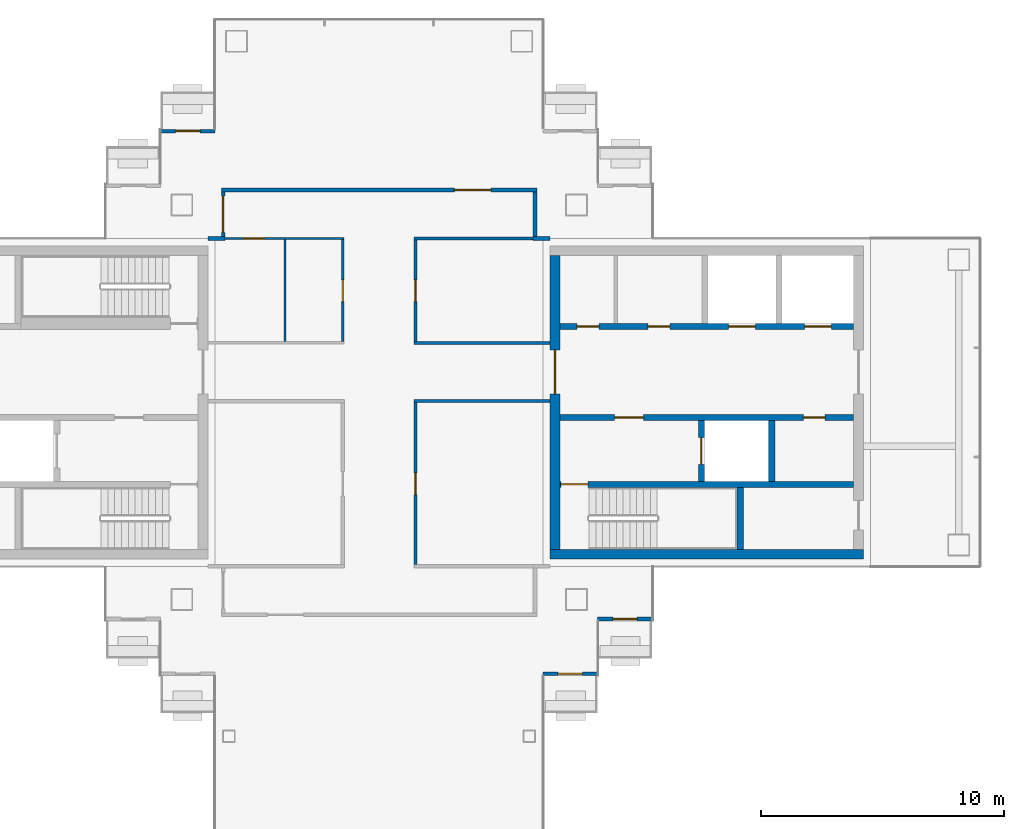
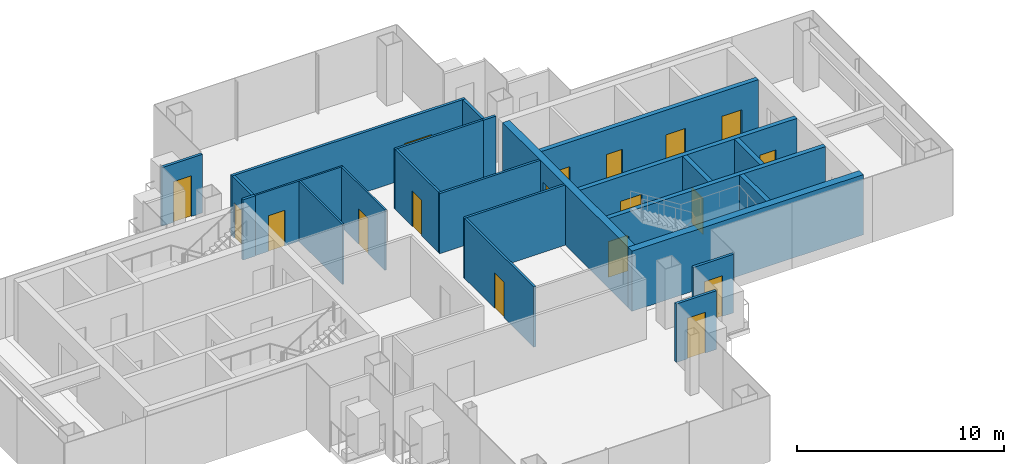
# One storey, part 10 of 17: 24 walls, 18 doors, 18 openings.
"""IFC4 building model written with IfcOpenShell, lengths in metres."""

from ifc_helpers import new_model, si_unit, direction, frame, frame_2d, origin, place, context, subcontext, project, spatial, rectangle, extrude, material, layer, layer_set, type_object, element, fill, save


model = new_model("IFC4")

# Units and contexts
model_context = context("Model", 3, precision=1e-05, world=origin(), true_north=direction((0.0, 1.0)))
body_context = subcontext(model_context, "Body", "Model", "MODEL_VIEW")
ifc_project = project(units=[si_unit("LENGTHUNIT", "METRE"), si_unit("AREAUNIT", "SQUARE_METRE"), si_unit("VOLUMEUNIT", "CUBIC_METRE"), si_unit("PLANEANGLEUNIT", "RADIAN"), si_unit("MASSUNIT", "GRAM", prefix="KILO")], contexts=[model_context])

# Site, building, storey
site_placement = place(None, origin())
site = spatial("IfcSite", under=ifc_project, at=site_placement, CompositionType="ELEMENT")
building_placement = place(site_placement, origin())
building = spatial("IfcBuilding", under=site, at=building_placement, Name="Shamsa Quay Exchange Towers", CompositionType="ELEMENT")
storey_placement = place(building_placement, frame((0.0, 0.0, 253.800048828125)))
storey = spatial("IfcBuildingStorey", under=building, at=storey_placement, Name="L61", CompositionType="ELEMENT", Elevation=253.800048828125)

# Wall, opening, door
ifc_material_1 = material(Name="Aluminium EN AW-6063 T6, black anodised, with black enamelled glass infill", Category="aluminium")
ifc_layer_1 = layer(ifc_material_1, 0.14990234375)
ifc_layer_set_1 = layer_set([ifc_layer_1], Name="BALCONY DOOR BAY WALL 150")
wall_type_1 = type_object("IfcWallType", Name="BALCONY DOOR BAY WALL 150", PredefinedType="SOLIDWALL", material=ifc_layer_set_1)
wall_1_placement = place(storey_placement, frame((-22.5, -8.925048828125, 0.0), z_axis=(0.0, 0.0, 1.0), x_axis=(-1.0, 0.0, 0.0)))
wall_1 = element("IfcWall", 1, at=wall_1_placement, inside=storey, type_object=wall_type_1, Name="Door bay T1-PKES L61", PredefinedType="SOLIDWALL", context=body_context, shape_type="SweptSolid", body=[
    extrude(rectangle(XDim=2.25, YDim=0.14990234375, at=frame_2d((1.125, 0.0))), origin(), (0.0, 0.0, 1.0), 3.449951171875),
])
opening_1_placement = place(wall_1_placement, frame((0.625, 0.0, 0.0)))
opening_1 = element("IfcOpeningElement", 2, at=opening_1_placement, cuts=wall_1, Name="Opening XD411", PredefinedType="OPENING", context=body_context, shape_type="SweptSolid", body=[
    extrude(rectangle(XDim=1.0, YDim=2.39990234375, at=frame_2d((0.5, 1.199951171875))), frame((0.0, 0.0849609375, 0.0), z_axis=(0.0, -1.0, 0.0), x_axis=(1.0, 0.0, 0.0)), (0.0, 0.0, 1.0), 0.169921875),
])
ifc_material_2 = material(Name="Aluminium EN AW-6063 T6, black anodised, with laminated glass leaf", Category="aluminium")
door_type_1 = type_object("IfcDoorType", Name="BALCONY DOOR 1000x2400", OperationType="SINGLE_SWING_LEFT", PredefinedType="DOOR", material=ifc_material_2)
door_1_placement = place(opening_1_placement, origin())
door_1 = element("IfcDoor", 3, at=door_1_placement, inside=storey, type_object=door_type_1, Name="Balcony door T1-PKES L61", OperationType="SINGLE_SWING_RIGHT", OverallHeight=2.39990234375, OverallWidth=1.0, PredefinedType="DOOR", context=body_context, shape_type="SweptSolid", body=[
    extrude(rectangle(XDim=1.0, YDim=2.39990234375, at=frame_2d((0.5, 1.199951171875))), frame((0.0, 0.02490234375, 0.0), z_axis=(0.0, -1.0, 0.0), x_axis=(1.0, 0.0, 0.0)), (0.0, 0.0, 1.0), 0.050048828125),
])
fill(opening_1, door_1)

wall_2_placement = place(storey_placement, frame((-24.75, -11.175048828125, 0.0), z_axis=(0.0, 0.0, 1.0), x_axis=(-1.0, 0.0, 0.0)))
wall_2 = element("IfcWall", 4, at=wall_2_placement, inside=storey, type_object=wall_type_1, Name="Door bay T1-PKES L61", PredefinedType="SOLIDWALL", context=body_context, shape_type="SweptSolid", body=[
    extrude(rectangle(XDim=2.25, YDim=0.14990234375, at=frame_2d((1.125, 0.0))), origin(), (0.0, 0.0, 1.0), 3.449951171875),
])
opening_2_placement = place(wall_2_placement, frame((0.625, 0.0, 0.0)))
opening_2 = element("IfcOpeningElement", 5, at=opening_2_placement, cuts=wall_2, Name="Opening XD412", PredefinedType="OPENING", context=body_context, shape_type="SweptSolid", body=[
    extrude(rectangle(XDim=1.0, YDim=2.39990234375, at=frame_2d((0.5, 1.199951171875))), frame((0.0, 0.0849609375, 0.0), z_axis=(0.0, -1.0, 0.0), x_axis=(1.0, 0.0, 0.0)), (0.0, 0.0, 1.0), 0.169921875),
])
door_2_placement = place(opening_2_placement, origin())
door_2 = element("IfcDoor", 6, at=door_2_placement, inside=storey, type_object=door_type_1, Name="Balcony door T1-PKES L61", OperationType="SINGLE_SWING_LEFT", OverallHeight=2.39990234375, OverallWidth=1.0, PredefinedType="DOOR", context=body_context, shape_type="SweptSolid", body=[
    extrude(rectangle(XDim=1.0, YDim=2.39990234375, at=frame_2d((0.5, 1.199951171875))), frame((0.0, 0.02490234375, 0.0), z_axis=(0.0, -1.0, 0.0), x_axis=(1.0, 0.0, 0.0)), (0.0, 0.0, 1.0), 0.050048828125),
])
fill(opening_2, door_2)

wall_3_placement = place(storey_placement, frame((-42.75, 11.175048828125, 0.0)))
wall_3 = element("IfcWall", 7, at=wall_3_placement, inside=storey, type_object=wall_type_1, Name="Door bay T1-PKWN L61", PredefinedType="SOLIDWALL", context=body_context, shape_type="SweptSolid", body=[
    extrude(rectangle(XDim=2.25, YDim=0.14990234375, at=frame_2d((1.125, 0.0))), origin(), (0.0, 0.0, 1.0), 3.449951171875),
])
opening_3_placement = place(wall_3_placement, frame((0.625, 0.0, 0.0)))
opening_3 = element("IfcOpeningElement", 8, at=opening_3_placement, cuts=wall_3, Name="Opening XD413", PredefinedType="OPENING", context=body_context, shape_type="SweptSolid", body=[
    extrude(rectangle(XDim=1.0, YDim=2.39990234375, at=frame_2d((0.5, 1.199951171875))), frame((0.0, 0.0849609375, 0.0), z_axis=(0.0, -1.0, 0.0), x_axis=(1.0, 0.0, 0.0)), (0.0, 0.0, 1.0), 0.169921875),
])
door_3_placement = place(opening_3_placement, origin())
door_3 = element("IfcDoor", 9, at=door_3_placement, inside=storey, type_object=door_type_1, Name="Balcony door T1-PKWN L61", OperationType="SINGLE_SWING_LEFT", OverallHeight=2.39990234375, OverallWidth=1.0, PredefinedType="DOOR", context=body_context, shape_type="SweptSolid", body=[
    extrude(rectangle(XDim=1.0, YDim=2.39990234375, at=frame_2d((0.5, 1.199951171875))), frame((0.0, 0.02490234375, 0.0), z_axis=(0.0, -1.0, 0.0), x_axis=(1.0, 0.0, 0.0)), (0.0, 0.0, 1.0), 0.050048828125),
])
fill(opening_3, door_3)

# Wall
ifc_material_3 = material(Name="Concrete C60/75", Category="concrete")
ifc_layer_2 = layer(ifc_material_3, 0.39990234375)
ifc_layer_set_2 = layer_set([ifc_layer_2], Name="CORE WALL 400 C60/75")
wall_type_2 = type_object("IfcWallType", Name="CORE WALL 400 C60/75", PredefinedType="SHEAR", material=ifc_layer_set_2)
wall_4_placement = place(storey_placement, frame((-26.699951171875, -6.25, 0.0)))
element("IfcWall", 10, at=wall_4_placement, inside=storey, type_object=wall_type_2, Name="Core wall T1A-R27-PS", PredefinedType="SHEAR", context=body_context, shape_type="SweptSolid", body=[
    extrude(rectangle(XDim=12.89990234375, YDim=0.39990234375, at=frame_2d((6.449951171875, 0.0))), origin(), (0.0, 0.0, 1.0), 3.550048828125),
])

# Wall, opening, door
wall_5_placement = place(storey_placement, frame((-26.5, 6.050048828125, 0.0), z_axis=(0.0, 0.0, 1.0), x_axis=(0.0, -1.0, 0.0)))
wall_5 = element("IfcWall", 11, at=wall_5_placement, inside=storey, type_object=wall_type_2, Name="Core wall T1A-R27-PF", PredefinedType="SHEAR", context=body_context, shape_type="SweptSolid", body=[
    extrude(rectangle(XDim=12.10009765625, YDim=0.39990234375, at=frame_2d((6.050048828125, 0.0))), origin(), (0.0, 0.0, 1.0), 3.550048828125),
])
opening_4_placement = place(wall_5_placement, frame((3.89990234375, 0.0, 0.0)))
opening_4 = element("IfcOpeningElement", 12, at=opening_4_placement, cuts=wall_5, Name="Opening T1A-R27-LBD01", PredefinedType="OPENING", context=body_context, shape_type="SweptSolid", body=[
    extrude(rectangle(XDim=1.800048828125, YDim=2.39990234375, at=frame_2d((0.89990234375, 1.199951171875))), frame((0.0, 0.2099609375, 0.0), z_axis=(0.0, -1.0, 0.0), x_axis=(1.0, 0.0, 0.0)), (0.0, 0.0, 1.0), 0.419921875),
])
ifc_material_4 = material(Name="Steel, fire rated", Category="steel")
door_type_2 = type_object("IfcDoorType", Name="LIFT LOBBY DOOR PAIR 1800", OperationType="DOUBLE_DOOR_SINGLE_SWING", PredefinedType="DOOR", material=ifc_material_4)
door_4_placement = place(opening_4_placement, origin())
door_4 = element("IfcDoor", 13, at=door_4_placement, inside=storey, type_object=door_type_2, Name="T1A-R27-LBD01", OperationType="DOUBLE_DOOR_SINGLE_SWING", OverallHeight=2.39990234375, OverallWidth=1.800048828125, PredefinedType="DOOR", context=body_context, shape_type="SweptSolid", body=[
    extrude(rectangle(XDim=1.800048828125, YDim=2.39990234375, at=frame_2d((0.89990234375, 1.199951171875))), frame((0.0, 0.02490234375, 0.0), z_axis=(0.0, -1.0, 0.0), x_axis=(1.0, 0.0, 0.0)), (0.0, 0.0, 1.0), 0.050048828125),
])
fill(opening_4, door_4)

# Wall
ifc_material_5 = material(Name="Laminated fire-resisting glass in a metal frame", Category="glass")
ifc_layer_3 = layer(ifc_material_5, 0.125)
ifc_layer_set_3 = layer_set([ifc_layer_3], Name="Glazed partition 125 mm EI 60")
wall_type_3 = type_object("IfcWallType", Name="Glazed partition 125 mm EI 60", PredefinedType="PARTITIONING", material=ifc_layer_set_3)
wall_6_placement = place(storey_placement, frame((-27.250244140625, 6.75, 0.0), z_axis=(0.0, 0.0, 1.0), x_axis=(-1.0, 0.0, 0.0)))
element("IfcWall", 14, at=wall_6_placement, inside=storey, type_object=wall_type_3, Name="Partition T1-R27-W01", PredefinedType="PARTITIONING", context=body_context, shape_type="SweptSolid", body=[
    extrude(rectangle(XDim=5.062255859375, YDim=0.125, at=frame_2d((2.53125, 0.0))), origin(), (0.0, 0.0, 1.0), 3.550048828125),
])

# Wall, opening, door
wall_7_placement = place(storey_placement, frame((-32.25, 6.6875, 0.0), z_axis=(0.0, 0.0, 1.0), x_axis=(0.0, -1.0, 0.0)))
wall_7 = element("IfcWall", 15, at=wall_7_placement, inside=storey, type_object=wall_type_3, Name="Partition T1-R27-W02", PredefinedType="PARTITIONING", context=body_context, shape_type="SweptSolid", body=[
    extrude(rectangle(XDim=4.1748046875, YDim=0.125, at=frame_2d((2.08740234375, 0.0))), origin(), (0.0, 0.0, 1.0), 3.550048828125),
])
opening_5_placement = place(wall_7_placement, frame((1.637451171875, 0.0, 0.0)))
opening_5 = element("IfcOpeningElement", 16, at=opening_5_placement, cuts=wall_7, Name="Opening T1-R27-D08", PredefinedType="OPENING", context=body_context, shape_type="SweptSolid", body=[
    extrude(rectangle(XDim=0.89990234375, YDim=2.10009765625, at=frame_2d((0.449951171875, 1.050048828125))), frame((0.0, 0.072509765625, 0.0), z_axis=(0.0, -1.0, 0.0), x_axis=(1.0, 0.0, 0.0)), (0.0, 0.0, 1.0), 0.14501953125),
])
ifc_material_6 = material(Name="Timber door leaf in a metal frame", Category="wood")
door_type_3 = type_object("IfcDoorType", Name="Door 900x2100 FD30S", OperationType="NOTDEFINED", PredefinedType="DOOR", material=ifc_material_6)
door_5_placement = place(opening_5_placement, origin())
door_5 = element("IfcDoor", 17, at=door_5_placement, inside=storey, type_object=door_type_3, Name="Door T1-R27-D08", OperationType="SINGLE_SWING_LEFT", OverallHeight=2.10009765625, OverallWidth=0.89990234375, PredefinedType="DOOR", context=body_context, shape_type="SweptSolid", body=[
    extrude(rectangle(XDim=0.89990234375, YDim=2.10009765625, at=frame_2d((0.449951171875, 1.050048828125))), frame((0.0, 0.02490234375, 0.0), z_axis=(0.0, -1.0, 0.0), x_axis=(1.0, 0.0, 0.0)), (0.0, 0.0, 1.0), 0.050048828125),
])
fill(opening_5, door_5)

wall_8_placement = place(storey_placement, frame((-32.25, -0.0126953125, 0.0), z_axis=(0.0, 0.0, 1.0), x_axis=(0.0, -1.0, 0.0)))
wall_8 = element("IfcWall", 18, at=wall_8_placement, inside=storey, type_object=wall_type_3, Name="Partition T1-R27-W03", PredefinedType="PARTITIONING", context=body_context, shape_type="SweptSolid", body=[
    extrude(rectangle(XDim=6.6748046875, YDim=0.125, at=frame_2d((3.33740234375, 0.0))), origin(), (0.0, 0.0, 1.0), 3.550048828125),
])
opening_6_placement = place(wall_8_placement, frame((2.887451171875, 0.0, 0.0)))
opening_6 = element("IfcOpeningElement", 19, at=opening_6_placement, cuts=wall_8, Name="Opening T1-R27-D07", PredefinedType="OPENING", context=body_context, shape_type="SweptSolid", body=[
    extrude(rectangle(XDim=0.89990234375, YDim=2.10009765625, at=frame_2d((0.449951171875, 1.050048828125))), frame((0.0, 0.072509765625, 0.0), z_axis=(0.0, -1.0, 0.0), x_axis=(1.0, 0.0, 0.0)), (0.0, 0.0, 1.0), 0.14501953125),
])
door_6_placement = place(opening_6_placement, origin())
door_6 = element("IfcDoor", 20, at=door_6_placement, inside=storey, type_object=door_type_3, Name="Door T1-R27-D07", OperationType="SINGLE_SWING_LEFT", OverallHeight=2.10009765625, OverallWidth=0.89990234375, PredefinedType="DOOR", context=body_context, shape_type="SweptSolid", body=[
    extrude(rectangle(XDim=0.89990234375, YDim=2.10009765625, at=frame_2d((0.449951171875, 1.050048828125))), frame((0.0, 0.02490234375, 0.0), z_axis=(0.0, -1.0, 0.0), x_axis=(1.0, 0.0, 0.0)), (0.0, 0.0, 1.0), 0.050048828125),
])
fill(opening_6, door_6)

# Walls
wall_9_placement = place(storey_placement, frame((-32.3125, 2.4501953125, 0.0)))
element("IfcWall", 21, at=wall_9_placement, inside=storey, type_object=wall_type_3, Name="Partition T1-R27-W04", PredefinedType="PARTITIONING", context=body_context, shape_type="SweptSolid", body=[
    extrude(rectangle(XDim=5.612548828125, YDim=0.125, at=frame_2d((2.80615234375, 0.0))), origin(), (0.0, 0.0, 1.0), 3.550048828125),
])
wall_10_placement = place(storey_placement, frame((-26.699951171875, 0.0498046875, 0.0), z_axis=(0.0, 0.0, 1.0), x_axis=(-1.0, 0.0, 0.0)))
element("IfcWall", 22, at=wall_10_placement, inside=storey, type_object=wall_type_3, Name="Partition T1-R27-W05", PredefinedType="PARTITIONING", context=body_context, shape_type="SweptSolid", body=[
    extrude(rectangle(XDim=5.612548828125, YDim=0.125, at=frame_2d((2.80615234375, 0.0))), origin(), (0.0, 0.0, 1.0), 3.550048828125),
])

# Wall, opening, door
ifc_material_7 = material(Name="Gypsum board partition on metal studs")
ifc_layer_4 = layer(ifc_material_7, 0.10009765625)
ifc_layer_set_4 = layer_set([ifc_layer_4], Name="Partition 100 mm NOT RATED")
wall_type_4 = type_object("IfcWallType", Name="Partition 100 mm NOT RATED", PredefinedType="PARTITIONING", material=ifc_layer_set_4)
wall_11_placement = place(storey_placement, frame((-35.199951171875, 6.75, 0.0), z_axis=(0.0, 0.0, 1.0), x_axis=(-1.0, 0.0, 0.0)))
wall_11 = element("IfcWall", 23, at=wall_11_placement, inside=storey, type_object=wall_type_4, Name="Partition T1-R27-W08", PredefinedType="PARTITIONING", context=body_context, shape_type="SweptSolid", body=[
    extrude(rectangle(XDim=5.0498046875, YDim=0.10009765625, at=frame_2d((2.52490234375, 0.0))), origin(), (0.0, 0.0, 1.0), 3.550048828125),
])
opening_7_placement = place(wall_11_placement, frame((3.25, 0.0, 0.0)))
opening_7 = element("IfcOpeningElement", 24, at=opening_7_placement, cuts=wall_11, Name="Opening T1-R27-D06", PredefinedType="OPENING", context=body_context, shape_type="SweptSolid", body=[
    extrude(rectangle(XDim=0.89990234375, YDim=2.10009765625, at=frame_2d((0.449951171875, 1.050048828125))), frame((0.0, 0.06005859375, 0.0), z_axis=(0.0, -1.0, 0.0), x_axis=(1.0, 0.0, 0.0)), (0.0, 0.0, 1.0), 0.1201171875),
])
door_type_4 = type_object("IfcDoorType", Name="Door 900x2100 NOT RATED", OperationType="NOTDEFINED", PredefinedType="DOOR", material=ifc_material_6)
door_7_placement = place(opening_7_placement, origin())
door_7 = element("IfcDoor", 25, at=door_7_placement, inside=storey, type_object=door_type_4, Name="Door T1-R27-D06", OperationType="SINGLE_SWING_LEFT", OverallHeight=2.10009765625, OverallWidth=0.89990234375, PredefinedType="DOOR", context=body_context, shape_type="SweptSolid", body=[
    extrude(rectangle(XDim=0.89990234375, YDim=2.10009765625, at=frame_2d((0.449951171875, 1.050048828125))), frame((0.0, 0.02490234375, 0.0), z_axis=(0.0, -1.0, 0.0), x_axis=(1.0, 0.0, 0.0)), (0.0, 0.0, 1.0), 0.050048828125),
])
fill(opening_7, door_7)

wall_12_placement = place(storey_placement, frame((-35.25, 2.500244140625, 0.0), z_axis=(0.0, 0.0, 1.0), x_axis=(0.0, 1.0, 0.0)))
wall_12 = element("IfcWall", 26, at=wall_12_placement, inside=storey, type_object=wall_type_4, Name="Partition T1-R27-W09", PredefinedType="PARTITIONING", context=body_context, shape_type="SweptSolid", body=[
    extrude(rectangle(XDim=4.19970703125, YDim=0.10009765625, at=frame_2d((2.099853515625, 0.0))), origin(), (0.0, 0.0, 1.0), 3.550048828125),
])
opening_8_placement = place(wall_12_placement, frame((1.64990234375, 0.0, 0.0)))
opening_8 = element("IfcOpeningElement", 27, at=opening_8_placement, cuts=wall_12, Name="Opening T1-R27-D05", PredefinedType="OPENING", context=body_context, shape_type="SweptSolid", body=[
    extrude(rectangle(XDim=0.89990234375, YDim=2.10009765625, at=frame_2d((0.449951171875, 1.050048828125))), frame((0.0, 0.06005859375, 0.0), z_axis=(0.0, -1.0, 0.0), x_axis=(1.0, 0.0, 0.0)), (0.0, 0.0, 1.0), 0.1201171875),
])
door_8_placement = place(opening_8_placement, origin())
door_8 = element("IfcDoor", 28, at=door_8_placement, inside=storey, type_object=door_type_4, Name="Door T1-R27-D05", OperationType="SINGLE_SWING_RIGHT", OverallHeight=2.10009765625, OverallWidth=0.89990234375, PredefinedType="DOOR", context=body_context, shape_type="SweptSolid", body=[
    extrude(rectangle(XDim=0.89990234375, YDim=2.10009765625, at=frame_2d((0.449951171875, 1.050048828125))), frame((0.0, 0.02490234375, 0.0), z_axis=(0.0, -1.0, 0.0), x_axis=(1.0, 0.0, 0.0)), (0.0, 0.0, 1.0), 0.050048828125),
])
fill(opening_8, door_8)

# Wall
wall_13_placement = place(storey_placement, frame((-37.625, 2.500244140625, 0.0), z_axis=(0.0, 0.0, 1.0), x_axis=(0.0, 1.0, 0.0)))
element("IfcWall", 29, at=wall_13_placement, inside=storey, type_object=wall_type_4, Name="Partition T1-R27-W22", PredefinedType="PARTITIONING", context=body_context, shape_type="SweptSolid", body=[
    extrude(rectangle(XDim=4.19970703125, YDim=0.10009765625, at=frame_2d((2.099853515625, 0.0))), origin(), (0.0, 0.0, 1.0), 3.550048828125),
])

# Wall, opening, door
ifc_layer_5 = layer(ifc_material_7, 0.14990234375)
ifc_layer_set_5 = layer_set([ifc_layer_5], Name="Partition 150 mm EI 60")
wall_type_5 = type_object("IfcWallType", Name="Partition 150 mm EI 60", PredefinedType="PARTITIONING", material=ifc_layer_set_5)
wall_14_placement = place(storey_placement, frame((-40.1748046875, 8.675048828125, 0.0), z_axis=(0.0, 0.0, 1.0), x_axis=(0.0, -1.0, 0.0)))
wall_14 = element("IfcWall", 30, at=wall_14_placement, inside=storey, type_object=wall_type_5, Name="Partition T1-R27-W14", PredefinedType="PARTITIONING", context=body_context, shape_type="SweptSolid", body=[
    extrude(rectangle(XDim=1.85009765625, YDim=0.14990234375, at=frame_2d((0.925048828125, 0.0))), origin(), (0.0, 0.0, 1.0), 3.550048828125),
])
opening_9_placement = place(wall_14_placement, frame((0.175048828125, 0.0, 0.0)))
opening_9 = element("IfcOpeningElement", 31, at=opening_9_placement, cuts=wall_14, Name="Opening T1-R27-D03", PredefinedType="OPENING", context=body_context, shape_type="SweptSolid", body=[
    extrude(rectangle(XDim=1.5, YDim=2.10009765625, at=frame_2d((0.75, 1.050048828125))), frame((0.0, 0.0849609375, 0.0), z_axis=(0.0, -1.0, 0.0), x_axis=(1.0, 0.0, 0.0)), (0.0, 0.0, 1.0), 0.169921875),
])
door_type_5 = type_object("IfcDoorType", Name="Door 1500x2100 FD30S pair", OperationType="NOTDEFINED", PredefinedType="DOOR", material=ifc_material_6)
door_9_placement = place(opening_9_placement, origin())
door_9 = element("IfcDoor", 32, at=door_9_placement, inside=storey, type_object=door_type_5, Name="Door T1-R27-D03", OperationType="DOUBLE_DOOR_SINGLE_SWING", OverallHeight=2.10009765625, OverallWidth=1.5, PredefinedType="DOOR", context=body_context, shape_type="SweptSolid", body=[
    extrude(rectangle(XDim=1.5, YDim=2.10009765625, at=frame_2d((0.75, 1.050048828125))), frame((0.0, 0.02490234375, 0.0), z_axis=(0.0, -1.0, 0.0), x_axis=(1.0, 0.0, 0.0)), (0.0, 0.0, 1.0), 0.050048828125),
])
fill(opening_9, door_9)

wall_15_placement = place(storey_placement, frame((-27.250244140625, 8.75, 0.0), z_axis=(0.0, 0.0, 1.0), x_axis=(-1.0, 0.0, 0.0)))
wall_15 = element("IfcWall", 33, at=wall_15_placement, inside=storey, type_object=wall_type_5, Name="Partition T1-R27-W16", PredefinedType="PARTITIONING", context=body_context, shape_type="SweptSolid", body=[
    extrude(rectangle(XDim=12.99951171875, YDim=0.14990234375, at=frame_2d((6.499755859375, 0.0))), origin(), (0.0, 0.0, 1.0), 3.550048828125),
])
opening_10_placement = place(wall_15_placement, frame((1.89501953125, 0.0, 0.0)))
opening_10 = element("IfcOpeningElement", 34, at=opening_10_placement, cuts=wall_15, Name="Opening T1-R27-D09", PredefinedType="OPENING", context=body_context, shape_type="SweptSolid", body=[
    extrude(rectangle(XDim=1.5, YDim=2.10009765625, at=frame_2d((0.75, 1.050048828125))), frame((0.0, 0.0849609375, 0.0), z_axis=(0.0, -1.0, 0.0), x_axis=(1.0, 0.0, 0.0)), (0.0, 0.0, 1.0), 0.169921875),
])
door_10_placement = place(opening_10_placement, origin())
door_10 = element("IfcDoor", 35, at=door_10_placement, inside=storey, type_object=door_type_5, Name="Door T1-R27-D09", OperationType="DOUBLE_DOOR_SINGLE_SWING", OverallHeight=2.10009765625, OverallWidth=1.5, PredefinedType="DOOR", context=body_context, shape_type="SweptSolid", body=[
    extrude(rectangle(XDim=1.5, YDim=2.10009765625, at=frame_2d((0.75, 1.050048828125))), frame((0.0, 0.02490234375, 0.0), z_axis=(0.0, -1.0, 0.0), x_axis=(1.0, 0.0, 0.0)), (0.0, 0.0, 1.0), 0.050048828125),
])
fill(opening_10, door_10)

# Walls
wall_16_placement = place(storey_placement, frame((-27.3251953125, 6.824951171875, 0.0), z_axis=(0.0, 0.0, 1.0), x_axis=(0.0, 1.0, 0.0)))
element("IfcWall", 36, at=wall_16_placement, inside=storey, type_object=wall_type_5, Name="Partition T1-R27-W18", PredefinedType="PARTITIONING", context=body_context, shape_type="SweptSolid", body=[
    extrude(rectangle(XDim=1.85009765625, YDim=0.14990234375, at=frame_2d((0.925048828125, 0.0))), origin(), (0.0, 0.0, 1.0), 3.550048828125),
])
for number, where, z_axis, x_axis, name in (
    (37, (-26.699951171875, 6.75, 0.0), (0.0, 0.0, 1.0), (-1.0, 0.0, 0.0), "Partition T1-R27-W20"),
    (38, (-40.099853515625, 6.75, 0.0), (0.0, 0.0, 1.0), (-1.0, 0.0, 0.0), "Partition T1-R27-W21"),
):
    element("IfcWall", number, at=place(storey_placement, frame(where, z_axis=z_axis, x_axis=x_axis)), inside=storey, type_object=wall_type_5, Name=name, PredefinedType="PARTITIONING", context=body_context, shape_type="SweptSolid", body=[
        extrude(rectangle(XDim=0.7001953125, YDim=0.14990234375, at=frame_2d((0.35009765625, 0.0))), origin(), (0.0, 0.0, 1.0), 3.550048828125),
    ])

# Wall, opening, door
ifc_material_8 = material(Name="Concrete C50/60", Category="concrete")
ifc_layer_6 = layer(ifc_material_8, 0.25)
ifc_layer_set_6 = layer_set([ifc_layer_6], Name="SHAFT WALL 250 C50/60")
wall_type_6 = type_object("IfcWallType", Name="SHAFT WALL 250 C50/60", PredefinedType="SHEAR", material=ifc_layer_set_6)
wall_17_placement = place(storey_placement, frame((-14.199951171875, -3.375, 0.0), z_axis=(0.0, 0.0, 1.0), x_axis=(-1.0, 0.0, 0.0)))
wall_17 = element("IfcWall", 39, at=wall_17_placement, inside=storey, type_object=wall_type_6, Name="Shaft wall T1A-R27-STL", PredefinedType="SHEAR", context=body_context, shape_type="SweptSolid", body=[
    extrude(rectangle(XDim=12.10009765625, YDim=0.25, at=frame_2d((6.050048828125, 0.0))), origin(), (0.0, 0.0, 1.0), 3.550048828125),
])
opening_11_placement = place(wall_17_placement, frame((10.949951171875, 0.0, 0.0)))
opening_11 = element("IfcOpeningElement", 40, at=opening_11_placement, cuts=wall_17, Name="Opening T1A-R27-SD04", PredefinedType="OPENING", context=body_context, shape_type="SweptSolid", body=[
    extrude(rectangle(XDim=1.10009765625, YDim=2.10009765625, at=frame_2d((0.550048828125, 1.050048828125))), frame((0.0, 0.135009765625, 0.0), z_axis=(0.0, -1.0, 0.0), x_axis=(1.0, 0.0, 0.0)), (0.0, 0.0, 1.0), 0.27001953125),
])
door_type_6 = type_object("IfcDoorType", Name="STAIR DOOR 1100", OperationType="SINGLE_SWING_LEFT", PredefinedType="DOOR", material=ifc_material_4)
door_11_placement = place(opening_11_placement, origin())
door_11 = element("IfcDoor", 41, at=door_11_placement, inside=storey, type_object=door_type_6, Name="T1A-R27-SD04", OperationType="SINGLE_SWING_RIGHT", OverallHeight=2.10009765625, OverallWidth=1.10009765625, PredefinedType="DOOR", context=body_context, shape_type="SweptSolid", body=[
    extrude(rectangle(XDim=1.10009765625, YDim=2.10009765625, at=frame_2d((0.550048828125, 1.050048828125))), frame((0.0, 0.02490234375, 0.0), z_axis=(0.0, -1.0, 0.0), x_axis=(1.0, 0.0, 0.0)), (0.0, 0.0, 1.0), 0.050048828125),
])
fill(opening_11, door_11)

# Wall
wall_18_placement = place(storey_placement, frame((-18.875, -6.050048828125, 0.0), z_axis=(0.0, 0.0, 1.0), x_axis=(0.0, 1.0, 0.0)))
element("IfcWall", 42, at=wall_18_placement, inside=storey, type_object=wall_type_6, Name="Shaft wall T1A-R27-STF", PredefinedType="SHEAR", context=body_context, shape_type="SweptSolid", body=[
    extrude(rectangle(XDim=2.550048828125, YDim=0.25, at=frame_2d((1.27490234375, 0.0))), origin(), (0.0, 0.0, 1.0), 3.550048828125),
])

# Wall, openings, doors
wall_19_placement = place(storey_placement, frame((-14.199951171875, -0.625, 0.0), z_axis=(0.0, 0.0, 1.0), x_axis=(-1.0, 0.0, 0.0)))
wall_19 = element("IfcWall", 43, at=wall_19_placement, inside=storey, type_object=wall_type_6, Name="Shaft wall T1A-R27-B", PredefinedType="SHEAR", context=body_context, shape_type="SweptSolid", body=[
    extrude(rectangle(XDim=12.10009765625, YDim=0.25, at=frame_2d((6.050048828125, 0.0))), origin(), (0.0, 0.0, 1.0), 3.550048828125),
])
opening_12_placement = place(wall_19_placement, frame((8.64990234375, 0.0, 0.0)))
opening_12 = element("IfcOpeningElement", 44, at=opening_12_placement, cuts=wall_19, Name="Opening T1A-R27-FD05", PredefinedType="OPENING", context=body_context, shape_type="SweptSolid", body=[
    extrude(rectangle(XDim=1.199951171875, YDim=2.10009765625, at=frame_2d((0.60009765625, 1.050048828125))), frame((0.0, 0.135009765625, 0.0), z_axis=(0.0, -1.0, 0.0), x_axis=(1.0, 0.0, 0.0)), (0.0, 0.0, 1.0), 0.27001953125),
])
opening_13_placement = place(wall_19_placement, frame((1.175048828125, 0.0, 0.0)))
opening_13 = element("IfcOpeningElement", 45, at=opening_13_placement, cuts=wall_19, Name="Opening T1A-R27-SV06", PredefinedType="OPENING", context=body_context, shape_type="SweptSolid", body=[
    extrude(rectangle(XDim=0.89990234375, YDim=2.10009765625, at=frame_2d((0.449951171875, 1.050048828125))), frame((0.0, 0.135009765625, 0.0), z_axis=(0.0, -1.0, 0.0), x_axis=(1.0, 0.0, 0.0)), (0.0, 0.0, 1.0), 0.27001953125),
])
door_type_7 = type_object("IfcDoorType", Name="FIRE SERVICE LOBBY DOOR 1200", OperationType="SINGLE_SWING_LEFT", PredefinedType="DOOR", material=ifc_material_4)
door_12_placement = place(opening_12_placement, origin())
door_12 = element("IfcDoor", 46, at=door_12_placement, inside=storey, type_object=door_type_7, Name="T1A-R27-FD05", OperationType="SINGLE_SWING_RIGHT", OverallHeight=2.10009765625, OverallWidth=1.199951171875, PredefinedType="DOOR", context=body_context, shape_type="SweptSolid", body=[
    extrude(rectangle(XDim=1.199951171875, YDim=2.10009765625, at=frame_2d((0.60009765625, 1.050048828125))), frame((0.0, 0.02490234375, 0.0), z_axis=(0.0, -1.0, 0.0), x_axis=(1.0, 0.0, 0.0)), (0.0, 0.0, 1.0), 0.050048828125),
])
fill(opening_12, door_12)
door_type_8 = type_object("IfcDoorType", Name="SERVICE ROOM DOOR 900", OperationType="SINGLE_SWING_LEFT", PredefinedType="DOOR", material=ifc_material_4)
door_13_placement = place(opening_13_placement, origin())
door_13 = element("IfcDoor", 47, at=door_13_placement, inside=storey, type_object=door_type_8, Name="T1A-R27-SV06", OperationType="SINGLE_SWING_LEFT", OverallHeight=2.10009765625, OverallWidth=0.89990234375, PredefinedType="DOOR", context=body_context, shape_type="SweptSolid", body=[
    extrude(rectangle(XDim=0.89990234375, YDim=2.10009765625, at=frame_2d((0.449951171875, 1.050048828125))), frame((0.0, 0.02490234375, 0.0), z_axis=(0.0, -1.0, 0.0), x_axis=(1.0, 0.0, 0.0)), (0.0, 0.0, 1.0), 0.050048828125),
])
fill(opening_13, door_13)

# Wall, opening, door
wall_20_placement = place(storey_placement, frame((-20.47509765625, -3.25, 0.0), z_axis=(0.0, 0.0, 1.0), x_axis=(0.0, 1.0, 0.0)))
wall_20 = element("IfcWall", 48, at=wall_20_placement, inside=storey, type_object=wall_type_6, Name="Shaft wall T1A-R27-FFF", PredefinedType="SHEAR", context=body_context, shape_type="SweptSolid", body=[
    extrude(rectangle(XDim=2.5, YDim=0.25, at=frame_2d((1.25, 0.0))), origin(), (0.0, 0.0, 1.0), 3.550048828125),
])
opening_14_placement = place(wall_20_placement, frame((0.699951171875, 0.0, 0.0)))
opening_14 = element("IfcOpeningElement", 49, at=opening_14_placement, cuts=wall_20, Name="Opening T1A-R27-LDF07", PredefinedType="OPENING", context=body_context, shape_type="SweptSolid", body=[
    extrude(rectangle(XDim=1.10009765625, YDim=2.10009765625, at=frame_2d((0.550048828125, 1.050048828125))), frame((0.0, 0.135009765625, 0.0), z_axis=(0.0, -1.0, 0.0), x_axis=(1.0, 0.0, 0.0)), (0.0, 0.0, 1.0), 0.27001953125),
])
door_type_9 = type_object("IfcDoorType", Name="FIRE SERVICE LANDING DOOR 1100", OperationType="SLIDING_TO_LEFT", PredefinedType="DOOR", material=ifc_material_4)
door_14_placement = place(opening_14_placement, origin())
door_14 = element("IfcDoor", 50, at=door_14_placement, inside=storey, type_object=door_type_9, Name="T1A-R27-LDF07", OperationType="SLIDING_TO_LEFT", OverallHeight=2.10009765625, OverallWidth=1.10009765625, PredefinedType="DOOR", context=body_context, shape_type="SweptSolid", body=[
    extrude(rectangle(XDim=1.10009765625, YDim=2.10009765625, at=frame_2d((0.550048828125, 1.050048828125))), frame((0.0, 0.02490234375, 0.0), z_axis=(0.0, -1.0, 0.0), x_axis=(1.0, 0.0, 0.0)), (0.0, 0.0, 1.0), 0.050048828125),
])
fill(opening_14, door_14)

# Wall
wall_21_placement = place(storey_placement, frame((-17.574951171875, -3.25, 0.0), z_axis=(0.0, 0.0, 1.0), x_axis=(0.0, 1.0, 0.0)))
element("IfcWall", 51, at=wall_21_placement, inside=storey, type_object=wall_type_6, Name="Shaft wall T1A-R27-FFB", PredefinedType="SHEAR", context=body_context, shape_type="SweptSolid", body=[
    extrude(rectangle(XDim=2.5, YDim=0.25, at=frame_2d((1.25, 0.0))), origin(), (0.0, 0.0, 1.0), 3.550048828125),
])

# Wall, openings, doors
wall_22_placement = place(storey_placement, frame((-26.300048828125, 3.125, 0.0)))
wall_22 = element("IfcWall", 52, at=wall_22_placement, inside=storey, type_object=wall_type_6, Name="Shaft wall T1A-R27-N", PredefinedType="SHEAR", context=body_context, shape_type="SweptSolid", body=[
    extrude(rectangle(XDim=12.10009765625, YDim=0.25, at=frame_2d((6.050048828125, 0.0))), origin(), (0.0, 0.0, 1.0), 3.550048828125),
])
opening_15_placement = place(wall_22_placement, frame((6.949951171875, 0.0, 0.0)))
opening_15 = element("IfcOpeningElement", 53, at=opening_15_placement, cuts=wall_22, Name="Opening T1A-R27-LD08", PredefinedType="OPENING", context=body_context, shape_type="SweptSolid", body=[
    extrude(rectangle(XDim=1.10009765625, YDim=2.10009765625, at=frame_2d((0.550048828125, 1.050048828125))), frame((0.0, 0.135009765625, 0.0), z_axis=(0.0, -1.0, 0.0), x_axis=(1.0, 0.0, 0.0)), (0.0, 0.0, 1.0), 0.27001953125),
])
opening_16_placement = place(wall_22_placement, frame((10.074951171875, 0.0, 0.0)))
opening_16 = element("IfcOpeningElement", 54, at=opening_16_placement, cuts=wall_22, Name="Opening T1A-R27-LD09", PredefinedType="OPENING", context=body_context, shape_type="SweptSolid", body=[
    extrude(rectangle(XDim=1.10009765625, YDim=2.10009765625, at=frame_2d((0.550048828125, 1.050048828125))), frame((0.0, 0.135009765625, 0.0), z_axis=(0.0, -1.0, 0.0), x_axis=(1.0, 0.0, 0.0)), (0.0, 0.0, 1.0), 0.27001953125),
])
opening_17_placement = place(wall_22_placement, frame((0.699951171875, 0.0, 0.0)))
opening_17 = element("IfcOpeningElement", 55, at=opening_17_placement, cuts=wall_22, Name="Opening T1A-R27-SV10", PredefinedType="OPENING", context=body_context, shape_type="SweptSolid", body=[
    extrude(rectangle(XDim=0.89990234375, YDim=2.10009765625, at=frame_2d((0.449951171875, 1.050048828125))), frame((0.0, 0.135009765625, 0.0), z_axis=(0.0, -1.0, 0.0), x_axis=(1.0, 0.0, 0.0)), (0.0, 0.0, 1.0), 0.27001953125),
])
opening_18_placement = place(wall_22_placement, frame((3.625, 0.0, 0.0)))
opening_18 = element("IfcOpeningElement", 56, at=opening_18_placement, cuts=wall_22, Name="Opening T1A-R27-SV11", PredefinedType="OPENING", context=body_context, shape_type="SweptSolid", body=[
    extrude(rectangle(XDim=0.89990234375, YDim=2.10009765625, at=frame_2d((0.449951171875, 1.050048828125))), frame((0.0, 0.135009765625, 0.0), z_axis=(0.0, -1.0, 0.0), x_axis=(1.0, 0.0, 0.0)), (0.0, 0.0, 1.0), 0.27001953125),
])
door_type_10 = type_object("IfcDoorType", Name="LANDING DOOR 1100", OperationType="SLIDING_TO_LEFT", PredefinedType="DOOR", material=ifc_material_4)
door_15_placement = place(opening_15_placement, origin())
door_15 = element("IfcDoor", 57, at=door_15_placement, inside=storey, type_object=door_type_10, Name="T1A-R27-LD08", OperationType="SLIDING_TO_LEFT", OverallHeight=2.10009765625, OverallWidth=1.10009765625, PredefinedType="DOOR", context=body_context, shape_type="SweptSolid", body=[
    extrude(rectangle(XDim=1.10009765625, YDim=2.10009765625, at=frame_2d((0.550048828125, 1.050048828125))), frame((0.0, 0.02490234375, 0.0), z_axis=(0.0, -1.0, 0.0), x_axis=(1.0, 0.0, 0.0)), (0.0, 0.0, 1.0), 0.050048828125),
])
fill(opening_15, door_15)
door_16_placement = place(opening_16_placement, origin())
door_16 = element("IfcDoor", 58, at=door_16_placement, inside=storey, type_object=door_type_10, Name="T1A-R27-LD09", OperationType="SLIDING_TO_LEFT", OverallHeight=2.10009765625, OverallWidth=1.10009765625, PredefinedType="DOOR", context=body_context, shape_type="SweptSolid", body=[
    extrude(rectangle(XDim=1.10009765625, YDim=2.10009765625, at=frame_2d((0.550048828125, 1.050048828125))), frame((0.0, 0.02490234375, 0.0), z_axis=(0.0, -1.0, 0.0), x_axis=(1.0, 0.0, 0.0)), (0.0, 0.0, 1.0), 0.050048828125),
])
fill(opening_16, door_16)
door_17_placement = place(opening_17_placement, origin())
door_17 = element("IfcDoor", 59, at=door_17_placement, inside=storey, type_object=door_type_8, Name="T1A-R27-SV10", OperationType="SINGLE_SWING_LEFT", OverallHeight=2.10009765625, OverallWidth=0.89990234375, PredefinedType="DOOR", context=body_context, shape_type="SweptSolid", body=[
    extrude(rectangle(XDim=0.89990234375, YDim=2.10009765625, at=frame_2d((0.449951171875, 1.050048828125))), frame((0.0, 0.02490234375, 0.0), z_axis=(0.0, -1.0, 0.0), x_axis=(1.0, 0.0, 0.0)), (0.0, 0.0, 1.0), 0.050048828125),
])
fill(opening_17, door_17)
door_18_placement = place(opening_18_placement, origin())
door_18 = element("IfcDoor", 60, at=door_18_placement, inside=storey, type_object=door_type_8, Name="T1A-R27-SV11", OperationType="SINGLE_SWING_LEFT", OverallHeight=2.10009765625, OverallWidth=0.89990234375, PredefinedType="DOOR", context=body_context, shape_type="SweptSolid", body=[
    extrude(rectangle(XDim=0.89990234375, YDim=2.10009765625, at=frame_2d((0.449951171875, 1.050048828125))), frame((0.0, 0.02490234375, 0.0), z_axis=(0.0, -1.0, 0.0), x_axis=(1.0, 0.0, 0.0)), (0.0, 0.0, 1.0), 0.050048828125),
])
fill(opening_18, door_18)

save(model, "model.ifc")
